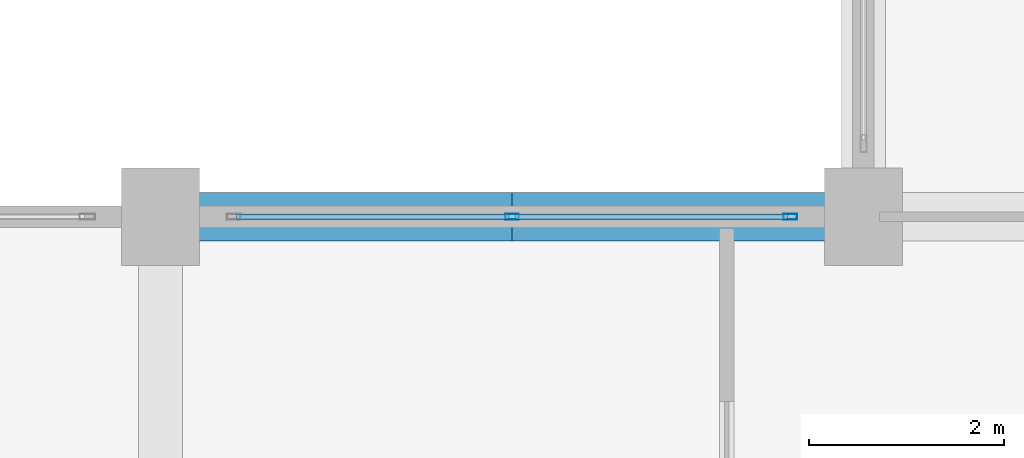
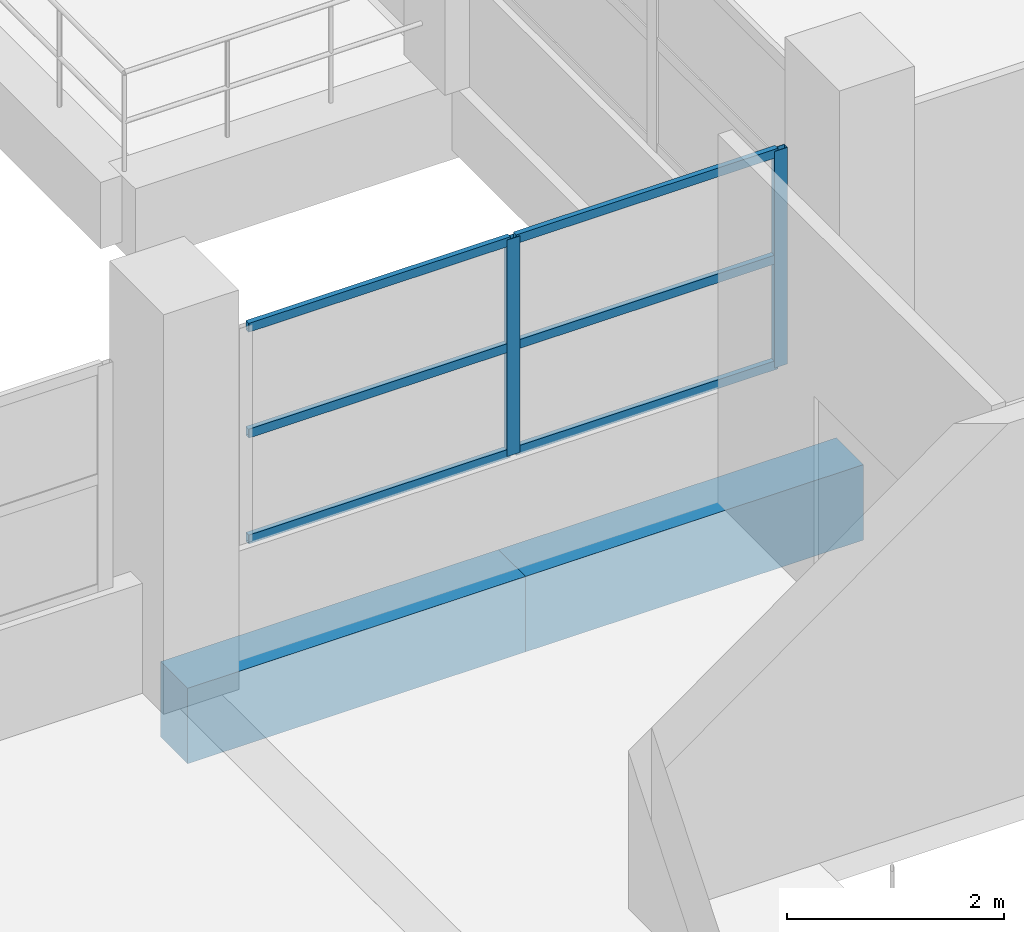
# One storey, part 5 of 141: 8 members, 2 beams, 1 element without a shape of its own.
"""IFC4 building model written with IfcOpenShell, lengths in metres."""

from ifc_helpers import new_model, si_unit, direction, frame, origin, origin_2d, place, context, subcontext, project, spatial, rectangle, hollow_rectangle, extrude, material, layer, layer_set, material_profile, profile_set, type_object, element, aggregate, save


model = new_model("IFC4")

# Units and contexts
model_context = context("Model", 3, precision=1e-05, world=origin(), true_north=direction((0.0, 1.0)))
body_context = subcontext(model_context, "Body", "Model", "MODEL_VIEW")
ifc_project = project(units=[si_unit("LENGTHUNIT", "METRE"), si_unit("AREAUNIT", "SQUARE_METRE"), si_unit("VOLUMEUNIT", "CUBIC_METRE"), si_unit("PLANEANGLEUNIT", "RADIAN"), si_unit("MASSUNIT", "GRAM", prefix="KILO")], contexts=[model_context])

# Site, building, storey
site_placement = place(None, origin())
site = spatial("IfcSite", under=ifc_project, at=site_placement, CompositionType="ELEMENT")
building_placement = place(site_placement, origin())
building = spatial("IfcBuilding", under=site, at=building_placement, Name="Seraya Terrace Polytechnic", CompositionType="ELEMENT")
storey_placement = place(building_placement, frame((0.0, 0.0, 14.39990234375)))
storey = spatial("IfcBuildingStorey", under=building, at=storey_placement, Name="L03", CompositionType="ELEMENT", Elevation=14.39990234375)

# Beams
ifc_material_1 = material(Name="Concrete C40/50", Category="concrete")
ifc_material_profile_1 = material_profile(ifc_material_1, rectangle(XDim=0.5, YDim=0.85009765625, at=origin_2d()), Name="RC 500x850")
ifc_profile_set_1 = profile_set([ifc_material_profile_1], Name="Concrete C40/50")
beam_type = type_object("IfcBeamType", Name="BM-05", PredefinedType="BEAM", material=ifc_profile_set_1)
beam_1_placement = place(storey_placement, frame((7.199951171875, 28.800048828125, -0.4248046875), z_axis=(1.0, 0.0, 0.0), x_axis=(0.0, 1.0, 0.0)))
element("IfcBeam", 1, at=beam_1_placement, inside=storey, type_object=beam_type, Name="Beam BM-05 L03 X (7.2..10.8, 28.8)", PredefinedType="BEAM", context=body_context, shape_type="SweptSolid", body=[
    extrude(rectangle(XDim=0.5, YDim=0.85009765625, at=origin_2d()), origin(), (0.0, 0.0, 1.0), 3.60009765625),
])
beam_2_placement = place(storey_placement, frame((10.800048828125, 28.800048828125, -0.4248046875), z_axis=(1.0, 0.0, 0.0), x_axis=(0.0, 1.0, 0.0)))
element("IfcBeam", 2, at=beam_2_placement, inside=storey, type_object=beam_type, Name="Beam BM-05 L03 X (10.8..14.4, 28.8)", PredefinedType="BEAM", context=body_context, shape_type="SweptSolid", body=[
    extrude(rectangle(XDim=0.5, YDim=0.85009765625, at=origin_2d()), origin(), (0.0, 0.0, 1.0), 3.599853515625),
])

# Curtain wall, members
ifc_material_2 = material(Name="Anodised aluminium EN AW-6063 T6", Category="aluminium")
ifc_layer = layer(ifc_material_2, 0.179931640625, Name="CW-03")
ifc_layer_set = layer_set([ifc_layer], Name="Anodised aluminium EN AW-6063 T6")
curtain_wall_type = type_object("IfcCurtainWallType", Name="CW-03", PredefinedType="NOTDEFINED", material=ifc_layer_set)
curtain_wall_placement = place(storey_placement, origin())
curtain_wall = element("IfcCurtainWall", 3, at=curtain_wall_placement, inside=storey, type_object=curtain_wall_type, Name="Unitised curtain wall CW-03 (CW-L03-111)", PredefinedType="NOTDEFINED")
ifc_material_profile_2 = material_profile(ifc_material_2, hollow_rectangle(XDim=0.06005859375, YDim=0.139892578125, WallThickness=0.00341796875, at=origin_2d()), Name="RHS 140x60x3.5")
ifc_profile_set_2 = profile_set([ifc_material_profile_2], Name="Anodised aluminium EN AW-6063 T6")
member_type_1 = type_object("IfcMemberType", Name="CWM-03", PredefinedType="MULLION", material=ifc_profile_set_2)
member_1_placement = place(storey_placement, frame((10.800048828125, 28.800048828125, 1.239990234375), z_axis=(0.0, 0.0, 1.0), x_axis=(0.0, 1.0, 0.0)))
member_1 = element("IfcMember", 4, at=member_1_placement, type_object=member_type_1, Name="CW-03 mullion 2", PredefinedType="MULLION", context=body_context, shape_type="SweptSolid", body=[
    extrude(hollow_rectangle(XDim=0.06005859375, YDim=0.139892578125, WallThickness=0.00341796875, at=origin_2d()), origin(), (0.0, 0.0, 1.0), 2.440185546875),
])
member_2_placement = place(storey_placement, frame((13.64990234375, 28.800048828125, 1.239990234375), z_axis=(0.0, 0.0, 1.0), x_axis=(0.0, 1.0, 0.0)))
member_2 = element("IfcMember", 5, at=member_2_placement, type_object=member_type_1, Name="CW-03 mullion 3", PredefinedType="MULLION", context=body_context, shape_type="SweptSolid", body=[
    extrude(hollow_rectangle(XDim=0.06005859375, YDim=0.139892578125, WallThickness=0.00341796875, at=origin_2d()), origin(), (0.0, 0.0, 1.0), 2.440185546875),
])
ifc_material_profile_3 = material_profile(ifc_material_2, hollow_rectangle(XDim=0.054931640625, YDim=0.10009765625, WallThickness=0.0029296875, at=origin_2d()), Name="RHS 100x55x3.0")
ifc_profile_set_3 = profile_set([ifc_material_profile_3], Name="Anodised aluminium EN AW-6063 T6")
member_type_2 = type_object("IfcMemberType", Name="CWT-03", PredefinedType="USERDEFINED", material=ifc_profile_set_3)
member_3_placement = place(storey_placement, frame((7.97998046875, 28.800048828125, 1.267578125), z_axis=(1.0, 0.0, 0.0), x_axis=(0.0, 1.0, 0.0)))
member_3 = element("IfcMember", 6, at=member_3_placement, type_object=member_type_2, Name="CW-03 transom 1.1", ObjectType="TRANSOM", PredefinedType="USERDEFINED", context=body_context, shape_type="SweptSolid", body=[
    extrude(hollow_rectangle(XDim=0.054931640625, YDim=0.10009765625, WallThickness=0.0029296875, at=origin_2d()), origin(), (0.0, 0.0, 1.0), 2.7900390625),
])
member_4_placement = place(storey_placement, frame((7.97998046875, 28.800048828125, 2.460205078125), z_axis=(1.0, 0.0, 0.0), x_axis=(0.0, 1.0, 0.0)))
member_4 = element("IfcMember", 7, at=member_4_placement, type_object=member_type_2, Name="CW-03 transom 1.2", ObjectType="TRANSOM", PredefinedType="USERDEFINED", context=body_context, shape_type="SweptSolid", body=[
    extrude(hollow_rectangle(XDim=0.054931640625, YDim=0.10009765625, WallThickness=0.0029296875, at=origin_2d()), origin(), (0.0, 0.0, 1.0), 2.7900390625),
])
member_5_placement = place(storey_placement, frame((7.97998046875, 28.800048828125, 3.652587890625), z_axis=(1.0, 0.0, 0.0), x_axis=(0.0, 1.0, 0.0)))
member_5 = element("IfcMember", 8, at=member_5_placement, type_object=member_type_2, Name="CW-03 transom 1.3", ObjectType="TRANSOM", PredefinedType="USERDEFINED", context=body_context, shape_type="SweptSolid", body=[
    extrude(hollow_rectangle(XDim=0.054931640625, YDim=0.10009765625, WallThickness=0.0029296875, at=origin_2d()), origin(), (0.0, 0.0, 1.0), 2.7900390625),
])
member_6_placement = place(storey_placement, frame((10.830078125, 28.800048828125, 1.267578125), z_axis=(1.0, 0.0, 0.0), x_axis=(0.0, 1.0, 0.0)))
member_6 = element("IfcMember", 9, at=member_6_placement, type_object=member_type_2, Name="CW-03 transom 2.1", ObjectType="TRANSOM", PredefinedType="USERDEFINED", context=body_context, shape_type="SweptSolid", body=[
    extrude(hollow_rectangle(XDim=0.054931640625, YDim=0.10009765625, WallThickness=0.0029296875, at=origin_2d()), origin(), (0.0, 0.0, 1.0), 2.7900390625),
])
member_7_placement = place(storey_placement, frame((10.830078125, 28.800048828125, 2.460205078125), z_axis=(1.0, 0.0, 0.0), x_axis=(0.0, 1.0, 0.0)))
member_7 = element("IfcMember", 10, at=member_7_placement, type_object=member_type_2, Name="CW-03 transom 2.2", ObjectType="TRANSOM", PredefinedType="USERDEFINED", context=body_context, shape_type="SweptSolid", body=[
    extrude(hollow_rectangle(XDim=0.054931640625, YDim=0.10009765625, WallThickness=0.0029296875, at=origin_2d()), origin(), (0.0, 0.0, 1.0), 2.7900390625),
])
member_8_placement = place(storey_placement, frame((10.830078125, 28.800048828125, 3.652587890625), z_axis=(1.0, 0.0, 0.0), x_axis=(0.0, 1.0, 0.0)))
member_8 = element("IfcMember", 11, at=member_8_placement, type_object=member_type_2, Name="CW-03 transom 2.3", ObjectType="TRANSOM", PredefinedType="USERDEFINED", context=body_context, shape_type="SweptSolid", body=[
    extrude(hollow_rectangle(XDim=0.054931640625, YDim=0.10009765625, WallThickness=0.0029296875, at=origin_2d()), origin(), (0.0, 0.0, 1.0), 2.7900390625),
])
aggregate(curtain_wall, [member_1, member_2, member_3, member_4, member_5, member_6, member_7, member_8])

save(model, "model.ifc")
